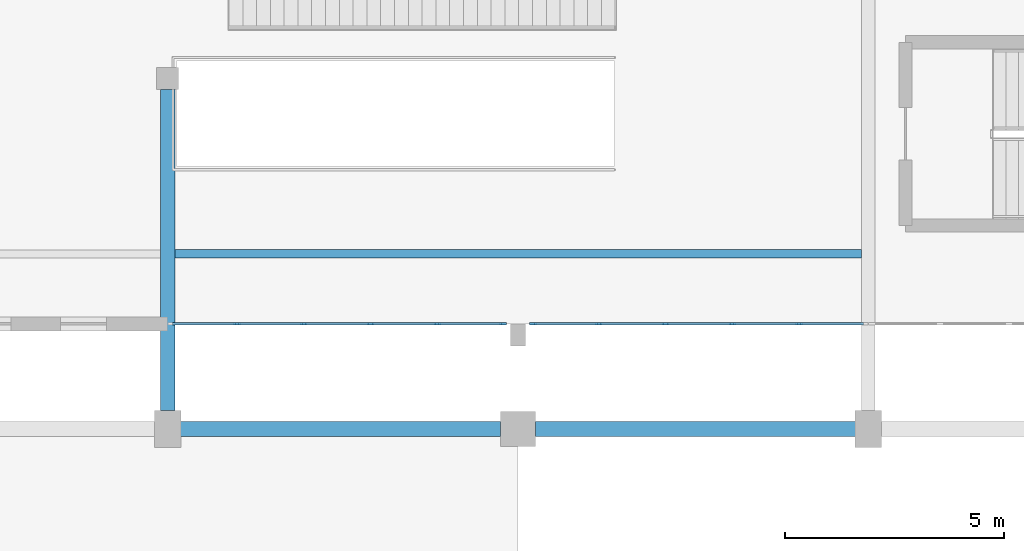
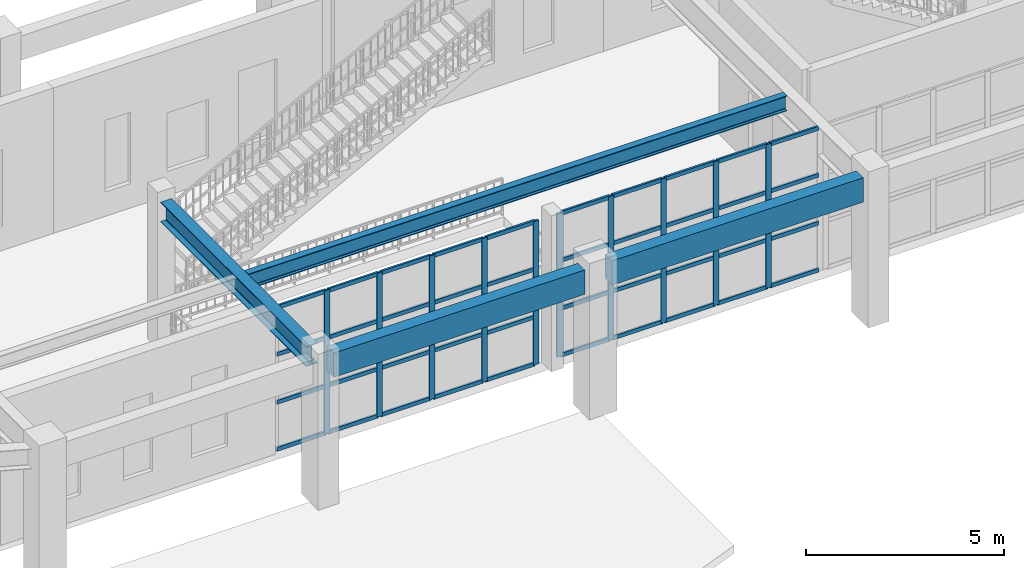
# One storey, part 7 of 59: 50 members, 4 beams, 2 elements without a shape of their own.
"""IFC4 building model written with IfcOpenShell, lengths in metres."""

from ifc_helpers import new_model, si_unit, direction, frame, origin, origin_2d, place, context, subcontext, project, spatial, rectangle, i_section, extrude, material, material_profile, profile_set, type_object, element, aggregate, save


model = new_model("IFC4")

# Units and contexts
model_context = context("Model", 3, precision=1e-05, world=origin(), true_north=direction((0.0, 1.0)))
body_context = subcontext(model_context, "Body", "Model", "MODEL_VIEW")
ifc_project = project(units=[si_unit("LENGTHUNIT", "METRE"), si_unit("AREAUNIT", "SQUARE_METRE"), si_unit("VOLUMEUNIT", "CUBIC_METRE"), si_unit("PLANEANGLEUNIT", "RADIAN"), si_unit("MASSUNIT", "GRAM", prefix="KILO")], contexts=[model_context])

# Site, building, storey
site_placement = place(None, origin())
site = spatial("IfcSite", under=ifc_project, at=site_placement, CompositionType="ELEMENT")
building_placement = place(site_placement, origin())
building = spatial("IfcBuilding", under=site, at=building_placement, Name="Serraluz Foothill Cableway Terminal", CompositionType="ELEMENT")
storey_placement = place(building_placement, frame((0.0, 0.0, 4.800048828125)))
storey = spatial("IfcBuildingStorey", under=building, at=storey_placement, Name="L01", CompositionType="ELEMENT", Elevation=4.800048828125)

# Beam
ifc_material_1 = material(Name="Steel ASTM A992 Grade 50", Category="steel")
ifc_material_profile_1 = material_profile(ifc_material_1, i_section(OverallWidth=0.324951171875, OverallDepth=0.615966796875, WebThickness=0.013916015625, FlangeThickness=0.021484375, FilletRadius=0.01806640625, at=origin_2d()), Name="W24X117")
ifc_profile_set_1 = profile_set([ifc_material_profile_1], Name="Steel ASTM A992 Grade 50")
beam_type_1 = type_object("IfcBeamType", Name="TYP-BM-W24X117", PredefinedType="BEAM", material=ifc_profile_set_1)
beam_1_placement = place(storey_placement, frame((48.0, 56.4208984375, 4.1669921875), z_axis=(0.0, 1.0, 0.0), x_axis=(-1.0, 0.0, 0.0)))
element("IfcBeam", 1, at=beam_1_placement, inside=storey, type_object=beam_type_1, Name="Transverse Girder BM-Y-L01-0257", PredefinedType="BEAM", context=body_context, shape_type="SweptSolid", body=[
    extrude(i_section(OverallWidth=0.324951171875, OverallDepth=0.615966796875, WebThickness=0.013916015625, FlangeThickness=0.021484375, FilletRadius=0.01806640625, at=origin_2d()), origin(), (0.0, 0.0, 1.0), 7.3330078125),
])

# Curtain wall, members
ifc_material_2 = material(Name="Architectural bronze alloy C28000", Category="aluminium")
curtain_wall_type_1 = type_object("IfcCurtainWallType", Name="TYP-CW-730X430", PredefinedType="NOTDEFINED", material=ifc_material_2)
curtain_wall_1_placement = place(storey_placement, origin())
curtain_wall_1 = element("IfcCurtainWall", 2, at=curtain_wall_1_placement, inside=storey, type_object=curtain_wall_type_1, Name="Ribbed Glazed Curtain Wall CW-V1S-L01-48", PredefinedType="NOTDEFINED")
ifc_material_profile_2 = material_profile(ifc_material_2, rectangle(XDim=0.06005859375, YDim=0.159912109375, at=origin_2d()), Name="ALU MULLION 60x160")
ifc_profile_set_2 = profile_set([ifc_material_profile_2], Name="Architectural bronze alloy C28000")
member_type_1 = type_object("IfcMemberType", Name="TYP-CW-MUL-60X160", PredefinedType="MULLION", material=ifc_profile_set_2)
member_1_placement = place(storey_placement, frame((55.655029296875, 58.39990234375, 0.0), z_axis=(0.0, 0.0, 1.0), x_axis=(0.0, -1.0, 0.0)))
member_1 = element("IfcMember", 3, at=member_1_placement, type_object=member_type_1, Name="CW-05 mullion 1", PredefinedType="MULLION", context=body_context, shape_type="SweptSolid", body=[
    extrude(rectangle(XDim=0.06005859375, YDim=0.159912109375, at=origin_2d()), origin(), (0.0, 0.0, 1.0), 4.419921875),
])
member_2_placement = place(storey_placement, frame((54.158447265625, 58.39990234375, 0.0), z_axis=(0.0, 0.0, 1.0), x_axis=(0.0, -1.0, 0.0)))
member_2 = element("IfcMember", 4, at=member_2_placement, type_object=member_type_1, Name="CW-05 mullion 2", PredefinedType="MULLION", context=body_context, shape_type="SweptSolid", body=[
    extrude(rectangle(XDim=0.06005859375, YDim=0.159912109375, at=origin_2d()), origin(), (0.0, 0.0, 1.0), 4.419921875),
])
member_3_placement = place(storey_placement, frame((52.6318359375, 58.39990234375, 0.0), z_axis=(0.0, 0.0, 1.0), x_axis=(0.0, -1.0, 0.0)))
member_3 = element("IfcMember", 5, at=member_3_placement, type_object=member_type_1, Name="CW-05 mullion 3", PredefinedType="MULLION", context=body_context, shape_type="SweptSolid", body=[
    extrude(rectangle(XDim=0.06005859375, YDim=0.159912109375, at=origin_2d()), origin(), (0.0, 0.0, 1.0), 4.419921875),
])
member_4_placement = place(storey_placement, frame((51.105224609375, 58.39990234375, 0.0), z_axis=(0.0, 0.0, 1.0), x_axis=(0.0, -1.0, 0.0)))
member_4 = element("IfcMember", 6, at=member_4_placement, type_object=member_type_1, Name="CW-05 mullion 4", PredefinedType="MULLION", context=body_context, shape_type="SweptSolid", body=[
    extrude(rectangle(XDim=0.06005859375, YDim=0.159912109375, at=origin_2d()), origin(), (0.0, 0.0, 1.0), 4.419921875),
])
member_5_placement = place(storey_placement, frame((49.57861328125, 58.39990234375, 0.0), z_axis=(0.0, 0.0, 1.0), x_axis=(0.0, -1.0, 0.0)))
member_5 = element("IfcMember", 7, at=member_5_placement, type_object=member_type_1, Name="CW-05 mullion 5", PredefinedType="MULLION", context=body_context, shape_type="SweptSolid", body=[
    extrude(rectangle(XDim=0.06005859375, YDim=0.159912109375, at=origin_2d()), origin(), (0.0, 0.0, 1.0), 4.419921875),
])

curtain_wall_type_2 = type_object("IfcCurtainWallType", Name="TYP-CW-740X440", PredefinedType="NOTDEFINED", material=ifc_material_2)
curtain_wall_2_placement = place(storey_placement, origin())
curtain_wall_2 = element("IfcCurtainWall", 8, at=curtain_wall_2_placement, inside=storey, type_object=curtain_wall_type_2, Name="Ribbed Glazed Curtain Wall CW-V1S-L01-56", PredefinedType="NOTDEFINED")
member_6_placement = place(storey_placement, frame((62.42138671875, 58.39990234375, 0.0), z_axis=(0.0, 0.0, 1.0), x_axis=(0.0, -1.0, 0.0)))
member_6 = element("IfcMember", 9, at=member_6_placement, type_object=member_type_1, Name="CW-06 mullion 2", PredefinedType="MULLION", context=body_context, shape_type="SweptSolid", body=[
    extrude(rectangle(XDim=0.06005859375, YDim=0.159912109375, at=origin_2d()), origin(), (0.0, 0.0, 1.0), 4.419921875),
])
member_7_placement = place(storey_placement, frame((60.894775390625, 58.39990234375, 0.0), z_axis=(0.0, 0.0, 1.0), x_axis=(0.0, -1.0, 0.0)))
member_7 = element("IfcMember", 10, at=member_7_placement, type_object=member_type_1, Name="CW-06 mullion 3", PredefinedType="MULLION", context=body_context, shape_type="SweptSolid", body=[
    extrude(rectangle(XDim=0.06005859375, YDim=0.159912109375, at=origin_2d()), origin(), (0.0, 0.0, 1.0), 4.419921875),
])
member_8_placement = place(storey_placement, frame((59.3681640625, 58.39990234375, 0.0), z_axis=(0.0, 0.0, 1.0), x_axis=(0.0, -1.0, 0.0)))
member_8 = element("IfcMember", 11, at=member_8_placement, type_object=member_type_1, Name="CW-06 mullion 4", PredefinedType="MULLION", context=body_context, shape_type="SweptSolid", body=[
    extrude(rectangle(XDim=0.06005859375, YDim=0.159912109375, at=origin_2d()), origin(), (0.0, 0.0, 1.0), 4.419921875),
])
member_9_placement = place(storey_placement, frame((57.841552734375, 58.39990234375, 0.0), z_axis=(0.0, 0.0, 1.0), x_axis=(0.0, -1.0, 0.0)))
member_9 = element("IfcMember", 12, at=member_9_placement, type_object=member_type_1, Name="CW-06 mullion 5", PredefinedType="MULLION", context=body_context, shape_type="SweptSolid", body=[
    extrude(rectangle(XDim=0.06005859375, YDim=0.159912109375, at=origin_2d()), origin(), (0.0, 0.0, 1.0), 4.419921875),
])
member_10_placement = place(storey_placement, frame((56.344970703125, 58.39990234375, 0.0), z_axis=(0.0, 0.0, 1.0), x_axis=(0.0, -1.0, 0.0)))
member_10 = element("IfcMember", 13, at=member_10_placement, type_object=member_type_1, Name="CW-06 mullion 6", PredefinedType="MULLION", context=body_context, shape_type="SweptSolid", body=[
    extrude(rectangle(XDim=0.06005859375, YDim=0.159912109375, at=origin_2d()), origin(), (0.0, 0.0, 1.0), 4.419921875),
])

# Member
ifc_material_profile_3 = material_profile(ifc_material_2, rectangle(XDim=0.06005859375, YDim=0.1201171875, at=origin_2d()), Name="ALU TRANSOM 60x120")
ifc_profile_set_3 = profile_set([ifc_material_profile_3], Name="Architectural bronze alloy C28000")
member_type_2 = type_object("IfcMemberType", Name="TYP-CW-TRN-60X120", PredefinedType="USERDEFINED", material=ifc_profile_set_3)
member_11_placement = place(storey_placement, frame((55.625, 58.39990234375, 0.030029296875), z_axis=(-1.0, 0.0, 0.0), x_axis=(0.0, -1.0, 0.0)))
member_11 = element("IfcMember", 14, at=member_11_placement, type_object=member_type_2, Name="CW-05 transom 1.1", ObjectType="TRANSOM", PredefinedType="USERDEFINED", context=body_context, shape_type="SweptSolid", body=[
    extrude(rectangle(XDim=0.06005859375, YDim=0.1201171875, at=origin_2d()), origin(), (0.0, 0.0, 1.0), 1.4365234375),
])

member_12_placement = place(storey_placement, frame((55.625, 58.39990234375, 1.47314453125), z_axis=(-1.0, 0.0, 0.0), x_axis=(0.0, -1.0, 0.0)))
member_12 = element("IfcMember", 15, at=member_12_placement, type_object=member_type_2, Name="CW-05 transom 1.2", ObjectType="TRANSOM", PredefinedType="USERDEFINED", context=body_context, shape_type="SweptSolid", body=[
    extrude(rectangle(XDim=0.06005859375, YDim=0.1201171875, at=origin_2d()), origin(), (0.0, 0.0, 1.0), 1.4365234375),
])

member_13_placement = place(storey_placement, frame((55.625, 58.39990234375, 2.946533203125), z_axis=(-1.0, 0.0, 0.0), x_axis=(0.0, -1.0, 0.0)))
member_13 = element("IfcMember", 16, at=member_13_placement, type_object=member_type_2, Name="CW-05 transom 1.3", ObjectType="TRANSOM", PredefinedType="USERDEFINED", context=body_context, shape_type="SweptSolid", body=[
    extrude(rectangle(XDim=0.06005859375, YDim=0.1201171875, at=origin_2d()), origin(), (0.0, 0.0, 1.0), 1.4365234375),
])

member_14_placement = place(storey_placement, frame((55.625, 58.39990234375, 4.389892578125), z_axis=(-1.0, 0.0, 0.0), x_axis=(0.0, -1.0, 0.0)))
member_14 = element("IfcMember", 17, at=member_14_placement, type_object=member_type_2, Name="CW-05 transom 1.4", ObjectType="TRANSOM", PredefinedType="USERDEFINED", context=body_context, shape_type="SweptSolid", body=[
    extrude(rectangle(XDim=0.06005859375, YDim=0.1201171875, at=origin_2d()), origin(), (0.0, 0.0, 1.0), 1.4365234375),
])

member_15_placement = place(storey_placement, frame((54.12841796875, 58.39990234375, 0.030029296875), z_axis=(-1.0, 0.0, 0.0), x_axis=(0.0, -1.0, 0.0)))
member_15 = element("IfcMember", 18, at=member_15_placement, type_object=member_type_2, Name="CW-05 transom 2.1", ObjectType="TRANSOM", PredefinedType="USERDEFINED", context=body_context, shape_type="SweptSolid", body=[
    extrude(rectangle(XDim=0.06005859375, YDim=0.1201171875, at=origin_2d()), origin(), (0.0, 0.0, 1.0), 1.466552734375),
])

member_16_placement = place(storey_placement, frame((54.12841796875, 58.39990234375, 1.47314453125), z_axis=(-1.0, 0.0, 0.0), x_axis=(0.0, -1.0, 0.0)))
member_16 = element("IfcMember", 19, at=member_16_placement, type_object=member_type_2, Name="CW-05 transom 2.2", ObjectType="TRANSOM", PredefinedType="USERDEFINED", context=body_context, shape_type="SweptSolid", body=[
    extrude(rectangle(XDim=0.06005859375, YDim=0.1201171875, at=origin_2d()), origin(), (0.0, 0.0, 1.0), 1.466552734375),
])

member_17_placement = place(storey_placement, frame((54.12841796875, 58.39990234375, 2.946533203125), z_axis=(-1.0, 0.0, 0.0), x_axis=(0.0, -1.0, 0.0)))
member_17 = element("IfcMember", 20, at=member_17_placement, type_object=member_type_2, Name="CW-05 transom 2.3", ObjectType="TRANSOM", PredefinedType="USERDEFINED", context=body_context, shape_type="SweptSolid", body=[
    extrude(rectangle(XDim=0.06005859375, YDim=0.1201171875, at=origin_2d()), origin(), (0.0, 0.0, 1.0), 1.466552734375),
])

member_18_placement = place(storey_placement, frame((54.12841796875, 58.39990234375, 4.389892578125), z_axis=(-1.0, 0.0, 0.0), x_axis=(0.0, -1.0, 0.0)))
member_18 = element("IfcMember", 21, at=member_18_placement, type_object=member_type_2, Name="CW-05 transom 2.4", ObjectType="TRANSOM", PredefinedType="USERDEFINED", context=body_context, shape_type="SweptSolid", body=[
    extrude(rectangle(XDim=0.06005859375, YDim=0.1201171875, at=origin_2d()), origin(), (0.0, 0.0, 1.0), 1.466552734375),
])

member_19_placement = place(storey_placement, frame((52.601806640625, 58.39990234375, 0.030029296875), z_axis=(-1.0, 0.0, 0.0), x_axis=(0.0, -1.0, 0.0)))
member_19 = element("IfcMember", 22, at=member_19_placement, type_object=member_type_2, Name="CW-05 transom 3.1", ObjectType="TRANSOM", PredefinedType="USERDEFINED", context=body_context, shape_type="SweptSolid", body=[
    extrude(rectangle(XDim=0.06005859375, YDim=0.1201171875, at=origin_2d()), origin(), (0.0, 0.0, 1.0), 1.466552734375),
])

member_20_placement = place(storey_placement, frame((52.601806640625, 58.39990234375, 1.47314453125), z_axis=(-1.0, 0.0, 0.0), x_axis=(0.0, -1.0, 0.0)))
member_20 = element("IfcMember", 23, at=member_20_placement, type_object=member_type_2, Name="CW-05 transom 3.2", ObjectType="TRANSOM", PredefinedType="USERDEFINED", context=body_context, shape_type="SweptSolid", body=[
    extrude(rectangle(XDim=0.06005859375, YDim=0.1201171875, at=origin_2d()), origin(), (0.0, 0.0, 1.0), 1.466552734375),
])

member_21_placement = place(storey_placement, frame((52.601806640625, 58.39990234375, 2.946533203125), z_axis=(-1.0, 0.0, 0.0), x_axis=(0.0, -1.0, 0.0)))
member_21 = element("IfcMember", 24, at=member_21_placement, type_object=member_type_2, Name="CW-05 transom 3.3", ObjectType="TRANSOM", PredefinedType="USERDEFINED", context=body_context, shape_type="SweptSolid", body=[
    extrude(rectangle(XDim=0.06005859375, YDim=0.1201171875, at=origin_2d()), origin(), (0.0, 0.0, 1.0), 1.466552734375),
])

member_22_placement = place(storey_placement, frame((52.601806640625, 58.39990234375, 4.389892578125), z_axis=(-1.0, 0.0, 0.0), x_axis=(0.0, -1.0, 0.0)))
member_22 = element("IfcMember", 25, at=member_22_placement, type_object=member_type_2, Name="CW-05 transom 3.4", ObjectType="TRANSOM", PredefinedType="USERDEFINED", context=body_context, shape_type="SweptSolid", body=[
    extrude(rectangle(XDim=0.06005859375, YDim=0.1201171875, at=origin_2d()), origin(), (0.0, 0.0, 1.0), 1.466552734375),
])

member_23_placement = place(storey_placement, frame((51.0751953125, 58.39990234375, 0.030029296875), z_axis=(-1.0, 0.0, 0.0), x_axis=(0.0, -1.0, 0.0)))
member_23 = element("IfcMember", 26, at=member_23_placement, type_object=member_type_2, Name="CW-05 transom 4.1", ObjectType="TRANSOM", PredefinedType="USERDEFINED", context=body_context, shape_type="SweptSolid", body=[
    extrude(rectangle(XDim=0.06005859375, YDim=0.1201171875, at=origin_2d()), origin(), (0.0, 0.0, 1.0), 1.466552734375),
])

member_24_placement = place(storey_placement, frame((51.0751953125, 58.39990234375, 1.47314453125), z_axis=(-1.0, 0.0, 0.0), x_axis=(0.0, -1.0, 0.0)))
member_24 = element("IfcMember", 27, at=member_24_placement, type_object=member_type_2, Name="CW-05 transom 4.2", ObjectType="TRANSOM", PredefinedType="USERDEFINED", context=body_context, shape_type="SweptSolid", body=[
    extrude(rectangle(XDim=0.06005859375, YDim=0.1201171875, at=origin_2d()), origin(), (0.0, 0.0, 1.0), 1.466552734375),
])

member_25_placement = place(storey_placement, frame((51.0751953125, 58.39990234375, 2.946533203125), z_axis=(-1.0, 0.0, 0.0), x_axis=(0.0, -1.0, 0.0)))
member_25 = element("IfcMember", 28, at=member_25_placement, type_object=member_type_2, Name="CW-05 transom 4.3", ObjectType="TRANSOM", PredefinedType="USERDEFINED", context=body_context, shape_type="SweptSolid", body=[
    extrude(rectangle(XDim=0.06005859375, YDim=0.1201171875, at=origin_2d()), origin(), (0.0, 0.0, 1.0), 1.466552734375),
])

member_26_placement = place(storey_placement, frame((51.0751953125, 58.39990234375, 4.389892578125), z_axis=(-1.0, 0.0, 0.0), x_axis=(0.0, -1.0, 0.0)))
member_26 = element("IfcMember", 29, at=member_26_placement, type_object=member_type_2, Name="CW-05 transom 4.4", ObjectType="TRANSOM", PredefinedType="USERDEFINED", context=body_context, shape_type="SweptSolid", body=[
    extrude(rectangle(XDim=0.06005859375, YDim=0.1201171875, at=origin_2d()), origin(), (0.0, 0.0, 1.0), 1.466552734375),
])

member_27_placement = place(storey_placement, frame((49.548583984375, 58.39990234375, 0.030029296875), z_axis=(-1.0, 0.0, 0.0), x_axis=(0.0, -1.0, 0.0)))
member_27 = element("IfcMember", 30, at=member_27_placement, type_object=member_type_2, Name="CW-05 transom 5.1", ObjectType="TRANSOM", PredefinedType="USERDEFINED", context=body_context, shape_type="SweptSolid", body=[
    extrude(rectangle(XDim=0.06005859375, YDim=0.1201171875, at=origin_2d()), origin(), (0.0, 0.0, 1.0), 1.4365234375),
])

member_28_placement = place(storey_placement, frame((49.548583984375, 58.39990234375, 1.47314453125), z_axis=(-1.0, 0.0, 0.0), x_axis=(0.0, -1.0, 0.0)))
member_28 = element("IfcMember", 31, at=member_28_placement, type_object=member_type_2, Name="CW-05 transom 5.2", ObjectType="TRANSOM", PredefinedType="USERDEFINED", context=body_context, shape_type="SweptSolid", body=[
    extrude(rectangle(XDim=0.06005859375, YDim=0.1201171875, at=origin_2d()), origin(), (0.0, 0.0, 1.0), 1.4365234375),
])

member_29_placement = place(storey_placement, frame((49.548583984375, 58.39990234375, 2.946533203125), z_axis=(-1.0, 0.0, 0.0), x_axis=(0.0, -1.0, 0.0)))
member_29 = element("IfcMember", 32, at=member_29_placement, type_object=member_type_2, Name="CW-05 transom 5.3", ObjectType="TRANSOM", PredefinedType="USERDEFINED", context=body_context, shape_type="SweptSolid", body=[
    extrude(rectangle(XDim=0.06005859375, YDim=0.1201171875, at=origin_2d()), origin(), (0.0, 0.0, 1.0), 1.4365234375),
])

member_30_placement = place(storey_placement, frame((49.548583984375, 58.39990234375, 4.389892578125), z_axis=(-1.0, 0.0, 0.0), x_axis=(0.0, -1.0, 0.0)))
member_30 = element("IfcMember", 33, at=member_30_placement, type_object=member_type_2, Name="CW-05 transom 5.4", ObjectType="TRANSOM", PredefinedType="USERDEFINED", context=body_context, shape_type="SweptSolid", body=[
    extrude(rectangle(XDim=0.06005859375, YDim=0.1201171875, at=origin_2d()), origin(), (0.0, 0.0, 1.0), 1.4365234375),
])

aggregate(curtain_wall_1, [member_1, member_2, member_3, member_4, member_5, member_11, member_12, member_13, member_14, member_15, member_16, member_17, member_18, member_19, member_20, member_21, member_22, member_23, member_24, member_25, member_26, member_27, member_28, member_29, member_30])

member_31_placement = place(storey_placement, frame((63.887939453125, 58.39990234375, 0.030029296875), z_axis=(-1.0, 0.0, 0.0), x_axis=(0.0, -1.0, 0.0)))
member_31 = element("IfcMember", 34, at=member_31_placement, type_object=member_type_2, Name="CW-06 transom 1.1", ObjectType="TRANSOM", PredefinedType="USERDEFINED", context=body_context, shape_type="SweptSolid", body=[
    extrude(rectangle(XDim=0.06005859375, YDim=0.1201171875, at=origin_2d()), origin(), (0.0, 0.0, 1.0), 1.4365234375),
])

member_32_placement = place(storey_placement, frame((63.887939453125, 58.39990234375, 1.47314453125), z_axis=(-1.0, 0.0, 0.0), x_axis=(0.0, -1.0, 0.0)))
member_32 = element("IfcMember", 35, at=member_32_placement, type_object=member_type_2, Name="CW-06 transom 1.2", ObjectType="TRANSOM", PredefinedType="USERDEFINED", context=body_context, shape_type="SweptSolid", body=[
    extrude(rectangle(XDim=0.06005859375, YDim=0.1201171875, at=origin_2d()), origin(), (0.0, 0.0, 1.0), 1.4365234375),
])

member_33_placement = place(storey_placement, frame((63.887939453125, 58.39990234375, 2.946533203125), z_axis=(-1.0, 0.0, 0.0), x_axis=(0.0, -1.0, 0.0)))
member_33 = element("IfcMember", 36, at=member_33_placement, type_object=member_type_2, Name="CW-06 transom 1.3", ObjectType="TRANSOM", PredefinedType="USERDEFINED", context=body_context, shape_type="SweptSolid", body=[
    extrude(rectangle(XDim=0.06005859375, YDim=0.1201171875, at=origin_2d()), origin(), (0.0, 0.0, 1.0), 1.4365234375),
])

member_34_placement = place(storey_placement, frame((63.887939453125, 58.39990234375, 4.389892578125), z_axis=(-1.0, 0.0, 0.0), x_axis=(0.0, -1.0, 0.0)))
member_34 = element("IfcMember", 37, at=member_34_placement, type_object=member_type_2, Name="CW-06 transom 1.4", ObjectType="TRANSOM", PredefinedType="USERDEFINED", context=body_context, shape_type="SweptSolid", body=[
    extrude(rectangle(XDim=0.06005859375, YDim=0.1201171875, at=origin_2d()), origin(), (0.0, 0.0, 1.0), 1.4365234375),
])

member_35_placement = place(storey_placement, frame((62.391357421875, 58.39990234375, 0.030029296875), z_axis=(-1.0, 0.0, 0.0), x_axis=(0.0, -1.0, 0.0)))
member_35 = element("IfcMember", 38, at=member_35_placement, type_object=member_type_2, Name="CW-06 transom 2.1", ObjectType="TRANSOM", PredefinedType="USERDEFINED", context=body_context, shape_type="SweptSolid", body=[
    extrude(rectangle(XDim=0.06005859375, YDim=0.1201171875, at=origin_2d()), origin(), (0.0, 0.0, 1.0), 1.466552734375),
])

member_36_placement = place(storey_placement, frame((62.391357421875, 58.39990234375, 1.47314453125), z_axis=(-1.0, 0.0, 0.0), x_axis=(0.0, -1.0, 0.0)))
member_36 = element("IfcMember", 39, at=member_36_placement, type_object=member_type_2, Name="CW-06 transom 2.2", ObjectType="TRANSOM", PredefinedType="USERDEFINED", context=body_context, shape_type="SweptSolid", body=[
    extrude(rectangle(XDim=0.06005859375, YDim=0.1201171875, at=origin_2d()), origin(), (0.0, 0.0, 1.0), 1.466552734375),
])

member_37_placement = place(storey_placement, frame((62.391357421875, 58.39990234375, 2.946533203125), z_axis=(-1.0, 0.0, 0.0), x_axis=(0.0, -1.0, 0.0)))
member_37 = element("IfcMember", 40, at=member_37_placement, type_object=member_type_2, Name="CW-06 transom 2.3", ObjectType="TRANSOM", PredefinedType="USERDEFINED", context=body_context, shape_type="SweptSolid", body=[
    extrude(rectangle(XDim=0.06005859375, YDim=0.1201171875, at=origin_2d()), origin(), (0.0, 0.0, 1.0), 1.466552734375),
])

member_38_placement = place(storey_placement, frame((62.391357421875, 58.39990234375, 4.389892578125), z_axis=(-1.0, 0.0, 0.0), x_axis=(0.0, -1.0, 0.0)))
member_38 = element("IfcMember", 41, at=member_38_placement, type_object=member_type_2, Name="CW-06 transom 2.4", ObjectType="TRANSOM", PredefinedType="USERDEFINED", context=body_context, shape_type="SweptSolid", body=[
    extrude(rectangle(XDim=0.06005859375, YDim=0.1201171875, at=origin_2d()), origin(), (0.0, 0.0, 1.0), 1.466552734375),
])

member_39_placement = place(storey_placement, frame((60.86474609375, 58.39990234375, 0.030029296875), z_axis=(-1.0, 0.0, 0.0), x_axis=(0.0, -1.0, 0.0)))
member_39 = element("IfcMember", 42, at=member_39_placement, type_object=member_type_2, Name="CW-06 transom 3.1", ObjectType="TRANSOM", PredefinedType="USERDEFINED", context=body_context, shape_type="SweptSolid", body=[
    extrude(rectangle(XDim=0.06005859375, YDim=0.1201171875, at=origin_2d()), origin(), (0.0, 0.0, 1.0), 1.466552734375),
])

member_40_placement = place(storey_placement, frame((60.86474609375, 58.39990234375, 1.47314453125), z_axis=(-1.0, 0.0, 0.0), x_axis=(0.0, -1.0, 0.0)))
member_40 = element("IfcMember", 43, at=member_40_placement, type_object=member_type_2, Name="CW-06 transom 3.2", ObjectType="TRANSOM", PredefinedType="USERDEFINED", context=body_context, shape_type="SweptSolid", body=[
    extrude(rectangle(XDim=0.06005859375, YDim=0.1201171875, at=origin_2d()), origin(), (0.0, 0.0, 1.0), 1.466552734375),
])

member_41_placement = place(storey_placement, frame((60.86474609375, 58.39990234375, 2.946533203125), z_axis=(-1.0, 0.0, 0.0), x_axis=(0.0, -1.0, 0.0)))
member_41 = element("IfcMember", 44, at=member_41_placement, type_object=member_type_2, Name="CW-06 transom 3.3", ObjectType="TRANSOM", PredefinedType="USERDEFINED", context=body_context, shape_type="SweptSolid", body=[
    extrude(rectangle(XDim=0.06005859375, YDim=0.1201171875, at=origin_2d()), origin(), (0.0, 0.0, 1.0), 1.466552734375),
])

member_42_placement = place(storey_placement, frame((60.86474609375, 58.39990234375, 4.389892578125), z_axis=(-1.0, 0.0, 0.0), x_axis=(0.0, -1.0, 0.0)))
member_42 = element("IfcMember", 45, at=member_42_placement, type_object=member_type_2, Name="CW-06 transom 3.4", ObjectType="TRANSOM", PredefinedType="USERDEFINED", context=body_context, shape_type="SweptSolid", body=[
    extrude(rectangle(XDim=0.06005859375, YDim=0.1201171875, at=origin_2d()), origin(), (0.0, 0.0, 1.0), 1.466552734375),
])

member_43_placement = place(storey_placement, frame((59.338134765625, 58.39990234375, 0.030029296875), z_axis=(-1.0, 0.0, 0.0), x_axis=(0.0, -1.0, 0.0)))
member_43 = element("IfcMember", 46, at=member_43_placement, type_object=member_type_2, Name="CW-06 transom 4.1", ObjectType="TRANSOM", PredefinedType="USERDEFINED", context=body_context, shape_type="SweptSolid", body=[
    extrude(rectangle(XDim=0.06005859375, YDim=0.1201171875, at=origin_2d()), origin(), (0.0, 0.0, 1.0), 1.466552734375),
])

member_44_placement = place(storey_placement, frame((59.338134765625, 58.39990234375, 1.47314453125), z_axis=(-1.0, 0.0, 0.0), x_axis=(0.0, -1.0, 0.0)))
member_44 = element("IfcMember", 47, at=member_44_placement, type_object=member_type_2, Name="CW-06 transom 4.2", ObjectType="TRANSOM", PredefinedType="USERDEFINED", context=body_context, shape_type="SweptSolid", body=[
    extrude(rectangle(XDim=0.06005859375, YDim=0.1201171875, at=origin_2d()), origin(), (0.0, 0.0, 1.0), 1.466552734375),
])

member_45_placement = place(storey_placement, frame((59.338134765625, 58.39990234375, 2.946533203125), z_axis=(-1.0, 0.0, 0.0), x_axis=(0.0, -1.0, 0.0)))
member_45 = element("IfcMember", 48, at=member_45_placement, type_object=member_type_2, Name="CW-06 transom 4.3", ObjectType="TRANSOM", PredefinedType="USERDEFINED", context=body_context, shape_type="SweptSolid", body=[
    extrude(rectangle(XDim=0.06005859375, YDim=0.1201171875, at=origin_2d()), origin(), (0.0, 0.0, 1.0), 1.466552734375),
])

member_46_placement = place(storey_placement, frame((59.338134765625, 58.39990234375, 4.389892578125), z_axis=(-1.0, 0.0, 0.0), x_axis=(0.0, -1.0, 0.0)))
member_46 = element("IfcMember", 49, at=member_46_placement, type_object=member_type_2, Name="CW-06 transom 4.4", ObjectType="TRANSOM", PredefinedType="USERDEFINED", context=body_context, shape_type="SweptSolid", body=[
    extrude(rectangle(XDim=0.06005859375, YDim=0.1201171875, at=origin_2d()), origin(), (0.0, 0.0, 1.0), 1.466552734375),
])

member_47_placement = place(storey_placement, frame((57.8115234375, 58.39990234375, 0.030029296875), z_axis=(-1.0, 0.0, 0.0), x_axis=(0.0, -1.0, 0.0)))
member_47 = element("IfcMember", 50, at=member_47_placement, type_object=member_type_2, Name="CW-06 transom 5.1", ObjectType="TRANSOM", PredefinedType="USERDEFINED", context=body_context, shape_type="SweptSolid", body=[
    extrude(rectangle(XDim=0.06005859375, YDim=0.1201171875, at=origin_2d()), origin(), (0.0, 0.0, 1.0), 1.4365234375),
])

member_48_placement = place(storey_placement, frame((57.8115234375, 58.39990234375, 1.47314453125), z_axis=(-1.0, 0.0, 0.0), x_axis=(0.0, -1.0, 0.0)))
member_48 = element("IfcMember", 51, at=member_48_placement, type_object=member_type_2, Name="CW-06 transom 5.2", ObjectType="TRANSOM", PredefinedType="USERDEFINED", context=body_context, shape_type="SweptSolid", body=[
    extrude(rectangle(XDim=0.06005859375, YDim=0.1201171875, at=origin_2d()), origin(), (0.0, 0.0, 1.0), 1.4365234375),
])

member_49_placement = place(storey_placement, frame((57.8115234375, 58.39990234375, 2.946533203125), z_axis=(-1.0, 0.0, 0.0), x_axis=(0.0, -1.0, 0.0)))
member_49 = element("IfcMember", 52, at=member_49_placement, type_object=member_type_2, Name="CW-06 transom 5.3", ObjectType="TRANSOM", PredefinedType="USERDEFINED", context=body_context, shape_type="SweptSolid", body=[
    extrude(rectangle(XDim=0.06005859375, YDim=0.1201171875, at=origin_2d()), origin(), (0.0, 0.0, 1.0), 1.4365234375),
])

member_50_placement = place(storey_placement, frame((57.8115234375, 58.39990234375, 4.389892578125), z_axis=(-1.0, 0.0, 0.0), x_axis=(0.0, -1.0, 0.0)))
member_50 = element("IfcMember", 53, at=member_50_placement, type_object=member_type_2, Name="CW-06 transom 5.4", ObjectType="TRANSOM", PredefinedType="USERDEFINED", context=body_context, shape_type="SweptSolid", body=[
    extrude(rectangle(XDim=0.06005859375, YDim=0.1201171875, at=origin_2d()), origin(), (0.0, 0.0, 1.0), 1.4365234375),
])

aggregate(curtain_wall_2, [member_6, member_7, member_8, member_9, member_10, member_31, member_32, member_33, member_34, member_35, member_36, member_37, member_38, member_39, member_40, member_41, member_42, member_43, member_44, member_45, member_46, member_47, member_48, member_49, member_50])

# Beams
ifc_material_profile_4 = material_profile(ifc_material_1, i_section(OverallWidth=0.193115234375, OverallDepth=0.467041015625, WebThickness=0.011474609375, FlangeThickness=0.01904296875, FilletRadius=0.014892578125, at=origin_2d()), Name="W18X65")
ifc_profile_set_4 = profile_set([ifc_material_profile_4], Name="Steel ASTM A992 Grade 50")
beam_type_2 = type_object("IfcBeamType", Name="TYP-JS-W18X65", PredefinedType="JOIST", material=ifc_profile_set_4)
beam_2_placement = place(storey_placement, frame((48.16748046875, 60.0, 4.241455078125), z_axis=(1.0, 0.0, 0.0), x_axis=(0.0, 1.0, 0.0)))
element("IfcBeam", 54, at=beam_2_placement, inside=storey, type_object=beam_type_2, Name="Secondary Floor Joist JS-L01-0083", PredefinedType="JOIST", context=body_context, shape_type="SweptSolid", body=[
    extrude(i_section(OverallWidth=0.193115234375, OverallDepth=0.467041015625, WebThickness=0.011474609375, FlangeThickness=0.01904296875, FilletRadius=0.014892578125, at=origin_2d()), origin(), (0.0, 0.0, 1.0), 15.673583984375),
])
ifc_material_3 = material(Name="Precast concrete C40/50", Category="concrete")
ifc_material_profile_5 = material_profile(ifc_material_3, rectangle(XDim=0.35009765625, YDim=0.75, at=origin_2d()), Name="RC SP 350x750")
ifc_profile_set_5 = profile_set([ifc_material_profile_5], Name="Precast concrete C40/50")
beam_type_3 = type_object("IfcBeamType", Name="TYP-SP-RC350X750", PredefinedType="SPANDREL", material=ifc_profile_set_5)
for number, where, z_axis, x_axis, name in (
    (55, (48.2958984375, 56.0, 4.099853515625), (1.0, 0.0, 0.0), (0.0, 1.0, 0.0), "Primary Girder BM-X-L01-0202"),
    (56, (56.39599609375, 56.0, 4.099853515625), (1.0, 0.0, 0.0), (0.0, 1.0, 0.0), "Primary Girder BM-X-L01-0203"),
):
    element("IfcBeam", number, at=place(storey_placement, frame(where, z_axis=z_axis, x_axis=x_axis)), inside=storey, type_object=beam_type_3, Name=name, PredefinedType="SPANDREL", context=body_context, shape_type="SweptSolid", body=[
        extrude(rectangle(XDim=0.35009765625, YDim=0.75, at=origin_2d()), origin(), (0.0, 0.0, 1.0), 7.30810546875),
    ])

save(model, "model.ifc")
